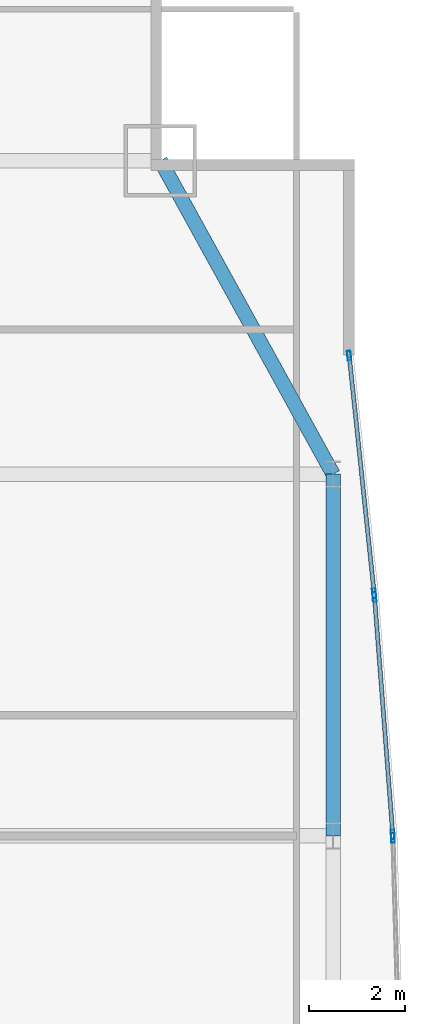
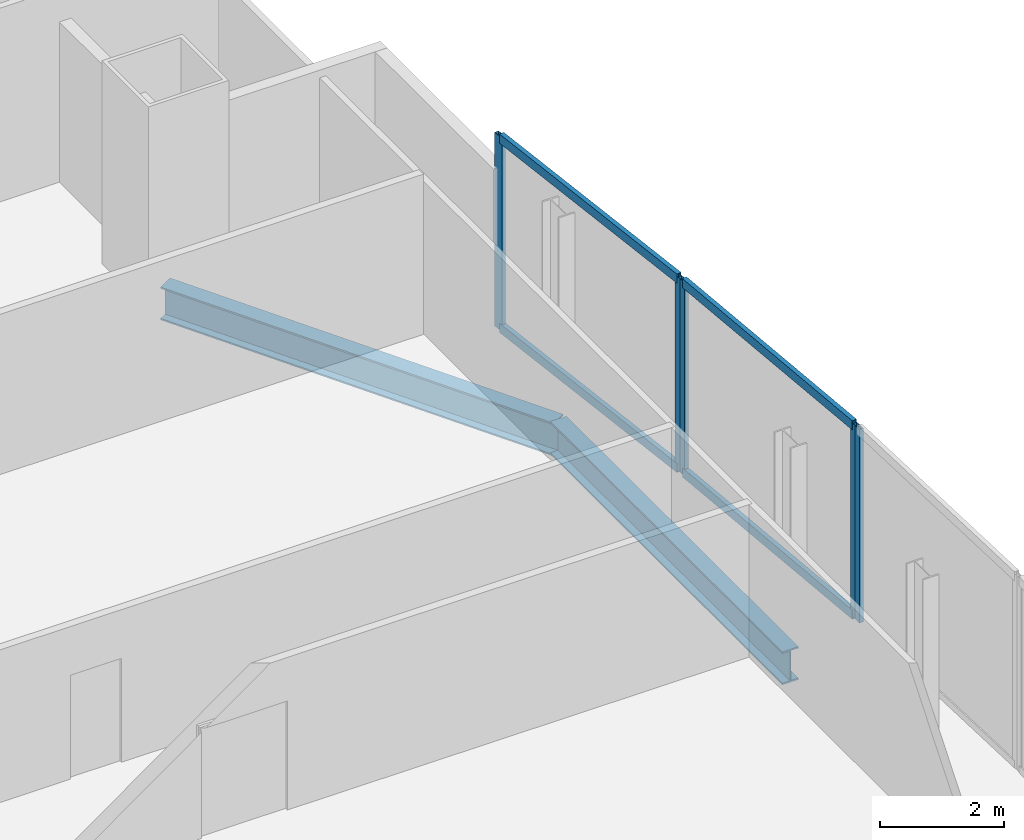
# One storey, part 23 of 30: 9 members, 2 beams, 3 elements without a shape of their own.
"""IFC4 building model written with IfcOpenShell, lengths in metres."""

from ifc_helpers import new_model, si_unit, direction, frame, origin, origin_2d, place, context, subcontext, project, spatial, hollow_rectangle, i_section, extrude, material, material_profile, profile_set, type_object, element, aggregate, save


model = new_model("IFC4")

# Units and contexts
model_context = context("Model", 3, precision=1e-05, world=origin(), true_north=direction((0.0, 1.0)))
body_context = subcontext(model_context, "Body", "Model", "MODEL_VIEW")
ifc_project = project(units=[si_unit("LENGTHUNIT", "METRE"), si_unit("AREAUNIT", "SQUARE_METRE"), si_unit("VOLUMEUNIT", "CUBIC_METRE"), si_unit("PLANEANGLEUNIT", "RADIAN"), si_unit("MASSUNIT", "GRAM", prefix="KILO")], contexts=[model_context])

# Site, building, storey
site_placement = place(None, origin())
site = spatial("IfcSite", under=ifc_project, at=site_placement, CompositionType="ELEMENT")
building_placement = place(site_placement, origin())
building = spatial("IfcBuilding", under=site, at=building_placement, Name="Khoronbel Lancet Exchange", CompositionType="ELEMENT")
storey_placement = place(building_placement, frame((0.0, 0.0, 98.60009765625)))
storey = spatial("IfcBuildingStorey", under=building, at=storey_placement, Name="L23", CompositionType="ELEMENT", Elevation=98.60009765625)

# Beams
ifc_material_1 = material(Name="Steel S355", Category="steel")
ifc_material_profile_1 = material_profile(ifc_material_1, i_section(OverallWidth=0.300048828125, OverallDepth=0.64990234375, WebThickness=0.01611328125, FlangeThickness=0.031005859375, at=origin_2d()), Name="HEB 650")
ifc_profile_set_1 = profile_set([ifc_material_profile_1], Name="Steel S355")
beam_type = type_object("IfcBeamType", Name="BM-BSP1", PredefinedType="SPANDREL", material=ifc_profile_set_1)
beam_1_placement = place(storey_placement, frame((69.6298828125, 35.699951171875, -0.505126953125), z_axis=(0.0, 1.0, 0.0), x_axis=(-1.0, 0.0, 0.0)))
element("IfcBeam", 1, at=beam_1_placement, inside=storey, type_object=beam_type, Name="Level L23 perimeter spandrel beam SP14", PredefinedType="SPANDREL", context=body_context, shape_type="SweptSolid", body=[
    extrude(i_section(OverallWidth=0.300048828125, OverallDepth=0.64990234375, WebThickness=0.01611328125, FlangeThickness=0.031005859375, at=origin_2d()), origin(), (0.0, 0.0, 1.0), 7.5),
])
beam_2_placement = place(storey_placement, frame((69.6298828125, 43.199951171875, -0.505126953125), z_axis=(-0.482418808117, 0.875940690672, 0.0), x_axis=(-0.875940690672, -0.482418808117, 0.0)))
element("IfcBeam", 2, at=beam_2_placement, inside=storey, type_object=beam_type, Name="Level L23 perimeter spandrel beam SP15", PredefinedType="SPANDREL", context=body_context, shape_type="SweptSolid", body=[
    extrude(i_section(OverallWidth=0.300048828125, OverallDepth=0.64990234375, WebThickness=0.01611328125, FlangeThickness=0.031005859375, at=origin_2d()), origin(), (0.0, 0.0, 1.0), 7.420654296875),
])

# Curtain wall, members
ifc_material_2 = material(Name="Low-E Solar Control Insulating Glass", Category="glass")
curtain_wall_type = type_object("IfcCurtainWallType", Name="CW-4", PredefinedType="NOTDEFINED", material=ifc_material_2)
curtain_wall_1_placement = place(storey_placement, origin())
curtain_wall_1 = element("IfcCurtainWall", 3, at=curtain_wall_1_placement, inside=storey, type_object=curtain_wall_type, Name="Unitised curtain wall CW-L23-E17", PredefinedType="NOTDEFINED")
ifc_material_3 = material(Name="Bronze-Anodised Aluminium 6063-T6", Category="aluminium")
ifc_material_profile_2 = material_profile(ifc_material_3, hollow_rectangle(XDim=0.074951171875, YDim=0.199951171875, WallThickness=0.0048828125, at=origin_2d()), Name="ALU MULLION 75x200")
ifc_profile_set_2 = profile_set([ifc_material_profile_2], Name="Bronze-Anodised Aluminium 6063-T6")
member_type_1 = type_object("IfcMemberType", Name="MEM-CWM2", PredefinedType="MULLION", material=ifc_profile_set_2)
member_1_placement = place(storey_placement, frame((69.9638671875, 45.657958984375, 0.0), z_axis=(0.0, 0.0, 1.0), x_axis=(0.994531779003, 0.104434383958, 0.0)))
member_1 = element("IfcMember", 4, at=member_1_placement, type_object=member_type_1, Name="CW4 mullion 1", PredefinedType="MULLION", context=body_context, shape_type="SweptSolid", body=[
    extrude(hollow_rectangle(XDim=0.074951171875, YDim=0.199951171875, WallThickness=0.0048828125, at=origin_2d()), origin(), (0.0, 0.0, 1.0), 3.81982421875),
])
member_2_placement = place(storey_placement, frame((70.4814453125, 40.729248046875, 0.0), z_axis=(0.0, 0.0, 1.0), x_axis=(0.994531779003, 0.104434383958, 0.0)))
member_2 = element("IfcMember", 5, at=member_2_placement, type_object=member_type_1, Name="CW4 mullion 2", PredefinedType="MULLION", context=body_context, shape_type="SweptSolid", body=[
    extrude(hollow_rectangle(XDim=0.074951171875, YDim=0.199951171875, WallThickness=0.0048828125, at=origin_2d()), origin(), (0.0, 0.0, 1.0), 3.81982421875),
])

curtain_wall_2_placement = place(storey_placement, origin())
curtain_wall_2 = element("IfcCurtainWall", 6, at=curtain_wall_2_placement, inside=storey, type_object=curtain_wall_type, Name="Unitised curtain wall CW-L23-E18", PredefinedType="NOTDEFINED")
member_3_placement = place(storey_placement, frame((70.48828125, 40.654541015625, 0.0), z_axis=(0.0, 0.0, 1.0), x_axis=(0.997059882555, 0.076626304874, 0.0)))
member_3 = element("IfcMember", 7, at=member_3_placement, type_object=member_type_1, Name="CW4 mullion 1", PredefinedType="MULLION", context=body_context, shape_type="SweptSolid", body=[
    extrude(hollow_rectangle(XDim=0.074951171875, YDim=0.199951171875, WallThickness=0.0048828125, at=origin_2d()), origin(), (0.0, 0.0, 1.0), 3.81982421875),
])
member_4_placement = place(storey_placement, frame((70.866455078125, 35.732666015625, 0.0), z_axis=(0.0, 0.0, 1.0), x_axis=(0.997059882555, 0.076626304874, 0.0)))
member_4 = element("IfcMember", 8, at=member_4_placement, type_object=member_type_1, Name="CW4 mullion 2", PredefinedType="MULLION", context=body_context, shape_type="SweptSolid", body=[
    extrude(hollow_rectangle(XDim=0.074951171875, YDim=0.199951171875, WallThickness=0.0048828125, at=origin_2d()), origin(), (0.0, 0.0, 1.0), 3.81982421875),
])

# Curtain wall, member
curtain_wall_3_placement = place(storey_placement, origin())
curtain_wall_3 = element("IfcCurtainWall", 9, at=curtain_wall_3_placement, inside=storey, type_object=curtain_wall_type, Name="Unitised curtain wall CW-L23-E19", PredefinedType="NOTDEFINED")
member_5_placement = place(storey_placement, frame((70.870361328125, 35.65771484375, 0.0), z_axis=(0.0, 0.0, 1.0), x_axis=(0.999604123662, 0.028135315146, 0.0)))
member_5 = element("IfcMember", 10, at=member_5_placement, type_object=member_type_1, Name="CW4 mullion 1", PredefinedType="MULLION", context=body_context, shape_type="SweptSolid", body=[
    extrude(hollow_rectangle(XDim=0.074951171875, YDim=0.199951171875, WallThickness=0.0048828125, at=origin_2d()), origin(), (0.0, 0.0, 1.0), 3.81982421875),
])
aggregate(curtain_wall_3, [member_5])

# Member
ifc_material_profile_3 = material_profile(ifc_material_3, hollow_rectangle(XDim=0.0849609375, YDim=0.179931640625, WallThickness=0.0048828125, at=origin_2d()), Name="ALU TRANSOM 85x180")
ifc_profile_set_3 = profile_set([ifc_material_profile_3], Name="Bronze-Anodised Aluminium 6063-T6")
member_type_2 = type_object("IfcMemberType", Name="MEM-CWT1", PredefinedType="USERDEFINED", material=ifc_profile_set_3)
member_6_placement = place(storey_placement, frame((69.9677734375, 45.62060546875, 0.04248046875), z_axis=(0.104445225696, -0.994530640468, 0.0), x_axis=(0.994530640468, 0.104445225696, 0.0)))
member_6 = element("IfcMember", 11, at=member_6_placement, type_object=member_type_2, Name="CW4 transom 1.1", ObjectType="TRANSOM", PredefinedType="USERDEFINED", context=body_context, shape_type="SweptSolid", body=[
    extrude(hollow_rectangle(XDim=0.0849609375, YDim=0.179931640625, WallThickness=0.0048828125, at=origin_2d()), origin(), (0.0, 0.0, 1.0), 4.880615234375),
])

member_7_placement = place(storey_placement, frame((69.9677734375, 45.62060546875, 3.77734375), z_axis=(0.104445225696, -0.994530640468, 0.0), x_axis=(0.994530640468, 0.104445225696, 0.0)))
member_7 = element("IfcMember", 12, at=member_7_placement, type_object=member_type_2, Name="CW4 transom 1.2", ObjectType="TRANSOM", PredefinedType="USERDEFINED", context=body_context, shape_type="SweptSolid", body=[
    extrude(hollow_rectangle(XDim=0.0849609375, YDim=0.179931640625, WallThickness=0.0048828125, at=origin_2d()), origin(), (0.0, 0.0, 1.0), 4.880615234375),
])

aggregate(curtain_wall_1, [member_1, member_2, member_6, member_7])

member_8_placement = place(storey_placement, frame((70.4912109375, 40.6171875, 0.04248046875), z_axis=(0.076635053626, -0.997059210155, 0.0), x_axis=(0.997059210155, 0.076635053626, 0.0)))
member_8 = element("IfcMember", 13, at=member_8_placement, type_object=member_type_2, Name="CW4 transom 1.1", ObjectType="TRANSOM", PredefinedType="USERDEFINED", context=body_context, shape_type="SweptSolid", body=[
    extrude(hollow_rectangle(XDim=0.0849609375, YDim=0.179931640625, WallThickness=0.0048828125, at=origin_2d()), origin(), (0.0, 0.0, 1.0), 4.861572265625),
])

member_9_placement = place(storey_placement, frame((70.4912109375, 40.6171875, 3.77734375), z_axis=(0.076635053626, -0.997059210155, 0.0), x_axis=(0.997059210155, 0.076635053626, 0.0)))
member_9 = element("IfcMember", 14, at=member_9_placement, type_object=member_type_2, Name="CW4 transom 1.2", ObjectType="TRANSOM", PredefinedType="USERDEFINED", context=body_context, shape_type="SweptSolid", body=[
    extrude(hollow_rectangle(XDim=0.0849609375, YDim=0.179931640625, WallThickness=0.0048828125, at=origin_2d()), origin(), (0.0, 0.0, 1.0), 4.861572265625),
])

aggregate(curtain_wall_2, [member_3, member_4, member_8, member_9])

save(model, "model.ifc")
